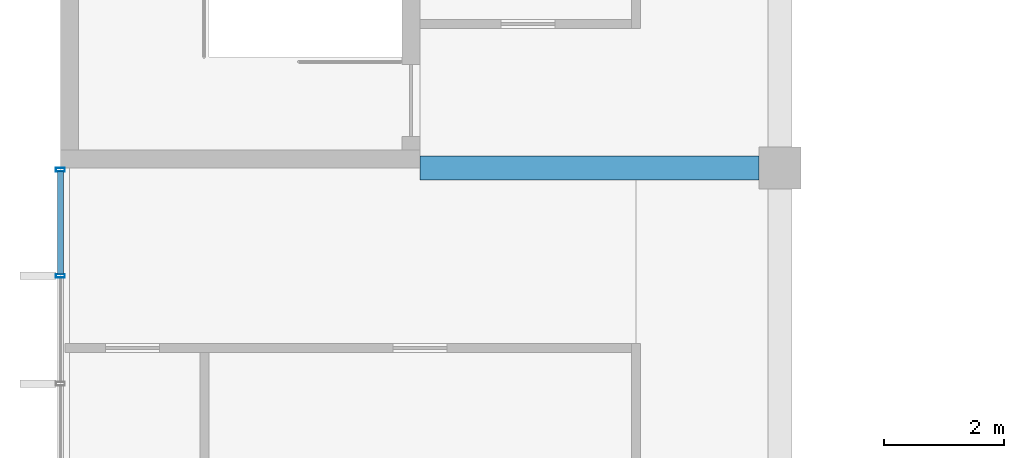
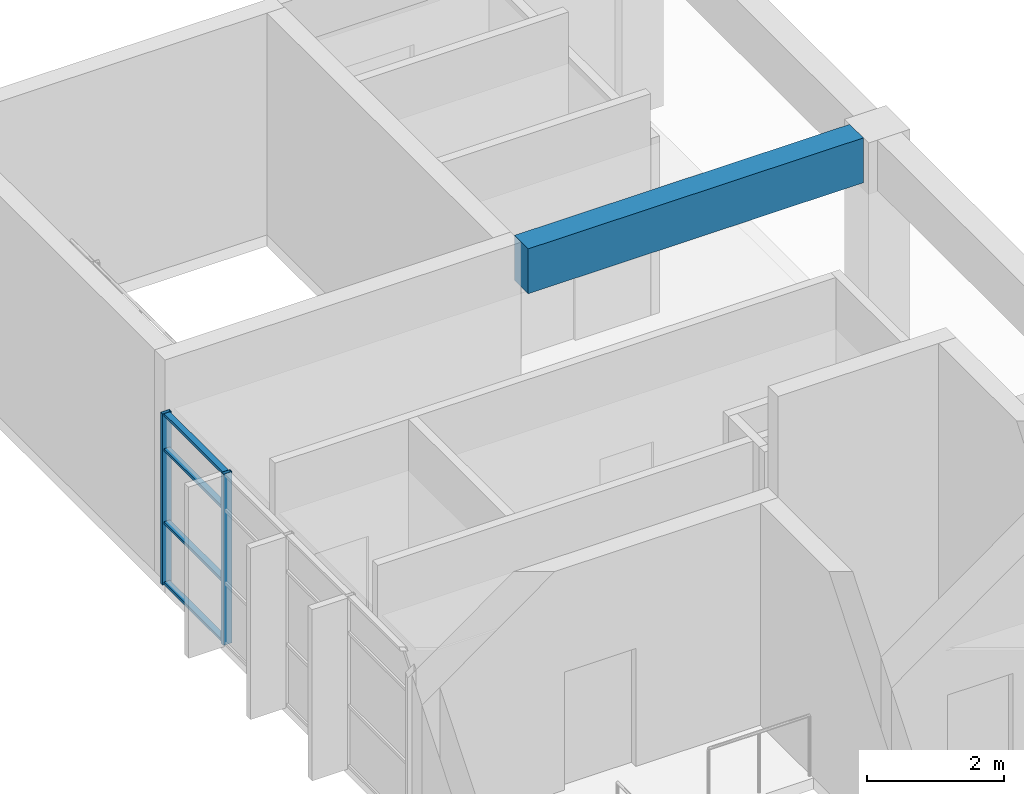
# One storey, part 6 of 47: 6 members, 1 beam, 1 element without a shape of its own.
"""IFC4 building model written with IfcOpenShell, lengths in metres."""

import ifcopenshell
import ifcopenshell.guid

model = None  # the IFC model being written
_history = None  # IfcOwnerHistory: only IFC2X3 demands one
_inside = {}  # id of a spatial element -> (the spatial element, [elements in it])
_under = {}  # id of a project, library or spatial element -> (it, [spatial elements below it])
_declared = {}  # id of a project -> (the project, [libraries it declares])
_typed = {}  # id of a type object -> (the type object, [elements of that type])
_made_of = {}  # id of a material, layer set ... -> (it, [elements and type objects made of it])


def new_model(schema):
    """Start an empty IFC model of exactly this schema.

    Asked for "IFC4X3", IfcOpenShell would pick the latest addendum, in which some entities
    have other attributes; the version numbers below select the first issue.
    IFC2X3 requires an IfcOwnerHistory on every rooted entity: one is made here for all.
    """
    global model, _history
    if schema == "IFC4X3":
        model = ifcopenshell.file(schema_version=(4, 3, 0, 0))
    else:
        model = ifcopenshell.file(schema=schema)
    _inside.clear()
    _under.clear()
    _declared.clear()
    _typed.clear()
    _made_of.clear()
    _history = None
    if model.schema == "IFC2X3":
        org = make("IfcOrganization", Name="unknown")
        user = make(
            "IfcPersonAndOrganization",
            ThePerson=make("IfcPerson", FamilyName="unknown"),
            TheOrganization=org,
        )
        app = make(
            "IfcApplication",
            ApplicationDeveloper=org,
            Version="unknown",
            ApplicationFullName="unknown",
            ApplicationIdentifier="unknown",
        )
        _history = make(
            "IfcOwnerHistory",
            OwningUser=user,
            OwningApplication=app,
            ChangeAction="ADDED",
            CreationDate=0,
        )
    return model


def make(cls, **values):
    """One entity of the class cls with the attributes given. An attribute that is None is left unset."""
    return model.create_entity(
        cls, **{name: value for name, value in values.items() if value is not None}
    )


def rooted(cls, **values):
    """An entity with a GlobalId (a new one), such as an element, a storey or a relation."""
    return make(cls, GlobalId=ifcopenshell.guid.new(), OwnerHistory=_history, **values)


def si_unit(unit_type, name, prefix=None):
    """IfcSIUnit, for example si_unit("LENGTHUNIT", "METRE", prefix="MILLI")."""
    return make("IfcSIUnit", UnitType=unit_type, Prefix=prefix, Name=name)


def assignment(units):
    """IfcUnitAssignment: the units of a project."""
    return None if units is None else make("IfcUnitAssignment", Units=units)


def point(xyz):
    """IfcCartesianPoint."""
    return None if xyz is None else make("IfcCartesianPoint", Coordinates=xyz)


def direction(xyz):
    """IfcDirection."""
    return None if xyz is None else make("IfcDirection", DirectionRatios=xyz)


def frame(location, z_axis=None, x_axis=None):
    """IfcAxis2Placement3D, a coordinate frame: its origin and axes. An axis left out is left unset."""
    return make(
        "IfcAxis2Placement3D",
        Location=point(location),
        Axis=direction(z_axis),
        RefDirection=direction(x_axis),
    )


def frame_2d(location, x_axis=None):
    """IfcAxis2Placement2D, a coordinate frame in the plane: its origin and x axis."""
    return make(
        "IfcAxis2Placement2D", Location=point(location), RefDirection=direction(x_axis)
    )


def origin():
    """The frame at (0, 0, 0) with its axes left unset."""
    return frame((0.0, 0.0, 0.0))


def origin_2d():
    """The frame at (0, 0) in the plane with its x axis left unset."""
    return frame_2d((0.0, 0.0))


def place(relative_to, where):
    """IfcLocalPlacement: puts the frame where relative to a parent placement (None: the world)."""
    return make(
        "IfcLocalPlacement", PlacementRelTo=relative_to, RelativePlacement=where
    )


def context(
    kind, dimensions, precision=None, world=None, true_north=None, identifier=None
):
    """IfcGeometricRepresentationContext, for example the 3D "Model" context."""
    return make(
        "IfcGeometricRepresentationContext",
        ContextIdentifier=identifier,
        ContextType=kind,
        CoordinateSpaceDimension=dimensions,
        Precision=precision,
        WorldCoordinateSystem=world,
        TrueNorth=true_north,
    )


def subcontext(parent, identifier, kind, view, scale=None):
    """IfcGeometricRepresentationSubContext, for example "Body" below "Model"."""
    return make(
        "IfcGeometricRepresentationSubContext",
        ContextIdentifier=identifier,
        ContextType=kind,
        ParentContext=parent,
        TargetScale=scale,
        TargetView=view,
    )


def project(units=None, contexts=None):
    """IfcProject with its units and contexts."""
    return rooted(
        "IfcProject",
        Name="project",
        RepresentationContexts=contexts,
        UnitsInContext=assignment(units),
    )


def spatial(cls, under=None, at=None, **own):
    """A site, building, storey or space (cls), placed at a placement, below another one or the project."""
    s = rooted(cls, ObjectPlacement=at, **own)
    if under is not None:
        _under.setdefault(under.id(), (under, []))[1].append(s)
    return s


def profile(cls, at=None, kind="AREA", **sizes):
    """A parametric profile (cls). Its sizes go by their IFC names, for example OverallWidth=200.0."""
    return make(cls, ProfileType=kind, Position=at, **sizes)


def rectangle(**sizes):
    """IfcRectangleProfileDef."""
    return profile("IfcRectangleProfileDef", **sizes)


def hollow_rectangle(**sizes):
    """IfcRectangleHollowProfileDef."""
    return profile("IfcRectangleHollowProfileDef", **sizes)


def extrude(swept, where, along, depth):
    """IfcExtrudedAreaSolid: the profile swept, set in the frame where, extruded along a direction by depth."""
    return make(
        "IfcExtrudedAreaSolid",
        SweptArea=swept,
        Position=where,
        ExtrudedDirection=direction(along),
        Depth=depth,
    )


def shape(context_of_items, identifier, shape_type, items):
    """IfcShapeRepresentation: the items that make up one representation, for example the "Body"."""
    return make(
        "IfcShapeRepresentation",
        ContextOfItems=context_of_items,
        RepresentationIdentifier=identifier,
        RepresentationType=shape_type,
        Items=items,
    )


def material(Name=None, Category=None):
    """IfcMaterial."""
    return make("IfcMaterial", Name=Name, Category=Category)


def material_profile(
    of_material, cross_section, Name=None, Category=None, Priority=None
):
    """IfcMaterialProfile: a cross section and its material."""
    return make(
        "IfcMaterialProfile",
        Name=Name,
        Material=of_material,
        Profile=cross_section,
        Priority=Priority,
        Category=Category,
    )


def profile_set(profiles, Name=None, composite=None):
    """IfcMaterialProfileSet."""
    return make(
        "IfcMaterialProfileSet",
        Name=Name,
        MaterialProfiles=profiles,
        CompositeProfile=composite,
    )


def made_of(thing, what):
    """Note that an element or type object is made of a material, layer set ...; save() writes the relation."""
    if what is not None:
        _made_of.setdefault(what.id(), (what, []))[1].append(thing)
    return thing


def type_object(cls, material=None, **own):
    """A type object (cls), such as IfcWallType, which elements share."""
    return made_of(rooted(cls, **own), material)


def element(
    cls,
    number,
    at=None,
    inside=None,
    cuts=None,
    type_object=None,
    material=None,
    context=None,
    identifier="Body",
    shape_type=None,
    held_by="IfcProductDefinitionShape",
    body=None,
    shapes=None,
    **own,
):
    """One element of the class cls, such as IfcWall. Its Tag is "e" and its number.

    at: its placement. inside: the storey or other place that contains it. cuts: it is an
    opening in that element (IfcRelVoidsElement). A single representation is given by context,
    identifier, shape_type and body (its items); several are given by shapes. held_by: the class
    of the entity that holds the representations. save() writes the other relations.
    """
    e = rooted(cls, Tag="e%d" % number, ObjectPlacement=at, **own)
    if body is not None:
        shapes = [shape(context, identifier, shape_type, body)]
    if shapes is not None:
        e.Representation = make(held_by, Representations=shapes)
    if inside is not None:
        _inside.setdefault(inside.id(), (inside, []))[1].append(e)
    if cuts is not None:
        rooted(
            "IfcRelVoidsElement", RelatingBuildingElement=cuts, RelatedOpeningElement=e
        )
    if type_object is not None:
        _typed.setdefault(type_object.id(), (type_object, []))[1].append(e)
    return made_of(e, material)


def aggregate(whole, parts):
    """IfcRelAggregates: a whole, such as a stair, and the parts it consists of."""
    return rooted("IfcRelAggregates", RelatingObject=whole, RelatedObjects=parts)


def save(model, path):
    """Write the relations noted so far, then the file.

    IfcRelAggregates (storeys below a building ...), IfcRelContainedInSpatialStructure (elements
    in a storey), IfcRelDefinesByType, IfcRelAssociatesMaterial and IfcRelDeclares: one each for
    every whole, place, type object, material and project.
    """
    for whole, parts in _under.values():
        aggregate(whole, parts)
    for where, things in _inside.values():
        rooted(
            "IfcRelContainedInSpatialStructure",
            RelatedElements=things,
            RelatingStructure=where,
        )
    for kind, things in _typed.values():
        rooted("IfcRelDefinesByType", RelatedObjects=things, RelatingType=kind)
    for what, things in _made_of.values():
        rooted("IfcRelAssociatesMaterial", RelatedObjects=things, RelatingMaterial=what)
    for by, libraries in _declared.values():
        rooted("IfcRelDeclares", RelatingContext=by, RelatedDefinitions=libraries)
    model.write(path)


model = new_model("IFC4")

# Units and contexts
model_context = context("Model", 3, precision=1e-05, world=origin(), true_north=direction((0.0, 1.0)))
body_context = subcontext(model_context, "Body", "Model", "MODEL_VIEW")
ifc_project = project(units=[si_unit("LENGTHUNIT", "METRE"), si_unit("AREAUNIT", "SQUARE_METRE"), si_unit("VOLUMEUNIT", "CUBIC_METRE"), si_unit("PLANEANGLEUNIT", "RADIAN"), si_unit("MASSUNIT", "GRAM", prefix="KILO")], contexts=[model_context])

# Site, building, storey
site_placement = place(None, origin())
site = spatial("IfcSite", under=ifc_project, at=site_placement, CompositionType="ELEMENT")
building_placement = place(site_placement, origin())
building = spatial("IfcBuilding", under=site, at=building_placement, Name="Laocheng Heights Fire and Rescue Headquarters", CompositionType="ELEMENT")
storey_placement = place(building_placement, frame((0.0, 0.0, 16.800048828125)))
storey = spatial("IfcBuildingStorey", under=building, at=storey_placement, Name="L04", CompositionType="ELEMENT", Elevation=16.800048828125)

# Curtain wall, members
ifc_material_1 = material(Name="Dark anodised aluminium unitised curtain wall, low-e double glazing", Category="aluminium")
curtain_wall_type = type_object("IfcCurtainWallType", Name="CW 7200 x 3050 FOYER GLAZING", PredefinedType="NOTDEFINED", material=ifc_material_1)
curtain_wall_placement = place(storey_placement, origin())
curtain_wall = element("IfcCurtainWall", 1, at=curtain_wall_placement, inside=storey, type_object=curtain_wall_type, Name="X4-V FOYER WEST L04", PredefinedType="NOTDEFINED")
ifc_material_2 = material(Name="Dark anodised aluminium 6063-T5 extrusion", Category="aluminium")
ifc_material_profile_1 = material_profile(ifc_material_2, hollow_rectangle(XDim=0.14990234375, YDim=0.06005859375, WallThickness=0.0029296875, at=origin_2d()), Name="AL MULLION 150x60x3 FOYER GLAZING")
ifc_profile_set_1 = profile_set([ifc_material_profile_1], Name="Dark anodised aluminium 6063-T5 extrusion")
member_type_1 = type_object("IfcMemberType", Name="AL MULLION 150x60x3 FOYER GLAZING", PredefinedType="MULLION", material=ifc_profile_set_1)
member_1_placement = place(storey_placement, frame((0.0, 48.60009765625, 0.0), z_axis=(0.0, 0.0, 1.0), x_axis=(-1.0, 0.0, 0.0)))
member_1 = element("IfcMember", 2, at=member_1_placement, type_object=member_type_1, Name="X4-V mullion 4", PredefinedType="MULLION", context=body_context, shape_type="SweptSolid", body=[
    extrude(hollow_rectangle(XDim=0.14990234375, YDim=0.06005859375, WallThickness=0.0029296875, at=origin_2d()), origin(), (0.0, 0.0, 1.0), 3.050048828125),
])
member_2_placement = place(storey_placement, frame((0.0, 50.3701171875, 0.0), z_axis=(0.0, 0.0, 1.0), x_axis=(-1.0, 0.0, 0.0)))
member_2 = element("IfcMember", 3, at=member_2_placement, type_object=member_type_1, Name="X4-V mullion 5", PredefinedType="MULLION", context=body_context, shape_type="SweptSolid", body=[
    extrude(hollow_rectangle(XDim=0.14990234375, YDim=0.06005859375, WallThickness=0.0029296875, at=origin_2d()), origin(), (0.0, 0.0, 1.0), 3.050048828125),
])
ifc_material_3 = material(Name="Dark anodised aluminium 6063-T5 extrusion", Category="aluminium")
ifc_material_profile_2 = material_profile(ifc_material_3, hollow_rectangle(XDim=0.10009765625, YDim=0.050048828125, WallThickness=0.0029296875, at=origin_2d()), Name="AL TRANSOM 100x50x3 FOYER GLAZING")
ifc_profile_set_2 = profile_set([ifc_material_profile_2], Name="Dark anodised aluminium 6063-T5 extrusion")
member_type_2 = type_object("IfcMemberType", Name="AL TRANSOM 100x50x3 FOYER GLAZING", PredefinedType="USERDEFINED", material=ifc_profile_set_2)
member_3_placement = place(storey_placement, frame((0.0, 48.6298828125, 0.02490234375), z_axis=(0.0, 1.0, 0.0), x_axis=(-1.0, 0.0, 0.0)))
member_3 = element("IfcMember", 4, at=member_3_placement, type_object=member_type_2, Name="X4-V transom 4.1", ObjectType="TRANSOM", PredefinedType="USERDEFINED", context=body_context, shape_type="SweptSolid", body=[
    extrude(hollow_rectangle(XDim=0.10009765625, YDim=0.050048828125, WallThickness=0.0029296875, at=origin_2d()), origin(), (0.0, 0.0, 1.0), 1.710205078125),
])
member_4_placement = place(storey_placement, frame((0.0, 48.6298828125, 1.099853515625), z_axis=(0.0, 1.0, 0.0), x_axis=(-1.0, 0.0, 0.0)))
member_4 = element("IfcMember", 5, at=member_4_placement, type_object=member_type_2, Name="X4-V transom 4.2", ObjectType="TRANSOM", PredefinedType="USERDEFINED", context=body_context, shape_type="SweptSolid", body=[
    extrude(hollow_rectangle(XDim=0.10009765625, YDim=0.050048828125, WallThickness=0.0029296875, at=origin_2d()), origin(), (0.0, 0.0, 1.0), 1.710205078125),
])
member_5_placement = place(storey_placement, frame((0.0, 48.6298828125, 2.39990234375), z_axis=(0.0, 1.0, 0.0), x_axis=(-1.0, 0.0, 0.0)))
member_5 = element("IfcMember", 6, at=member_5_placement, type_object=member_type_2, Name="X4-V transom 4.3", ObjectType="TRANSOM", PredefinedType="USERDEFINED", context=body_context, shape_type="SweptSolid", body=[
    extrude(hollow_rectangle(XDim=0.10009765625, YDim=0.050048828125, WallThickness=0.0029296875, at=origin_2d()), origin(), (0.0, 0.0, 1.0), 1.710205078125),
])
member_6_placement = place(storey_placement, frame((0.0, 48.6298828125, 3.02490234375), z_axis=(0.0, 1.0, 0.0), x_axis=(-1.0, 0.0, 0.0)))
member_6 = element("IfcMember", 7, at=member_6_placement, type_object=member_type_2, Name="X4-V transom 4.4", ObjectType="TRANSOM", PredefinedType="USERDEFINED", context=body_context, shape_type="SweptSolid", body=[
    extrude(hollow_rectangle(XDim=0.10009765625, YDim=0.050048828125, WallThickness=0.0029296875, at=origin_2d()), origin(), (0.0, 0.0, 1.0), 1.710205078125),
])
aggregate(curtain_wall, [member_1, member_2, member_3, member_4, member_5, member_6])

# Beam
ifc_material_4 = material(Name="Concrete C40", Category="concrete")
ifc_material_profile_3 = material_profile(ifc_material_4, rectangle(XDim=0.39990234375, YDim=0.800048828125, at=origin_2d()), Name="RC BEAM 400x800 FOYER")
ifc_profile_set_3 = profile_set([ifc_material_profile_3], Name="Concrete C40")
beam_type = type_object("IfcBeamType", Name="RC BEAM 400x800 FOYER", PredefinedType="BEAM", material=ifc_profile_set_3)
beam_placement = place(storey_placement, frame((6.0, 50.39990234375, 3.550048828125), z_axis=(1.0, 0.0, 0.0), x_axis=(0.0, 1.0, 0.0)))
element("IfcBeam", 8, at=beam_placement, inside=storey, type_object=beam_type, Name="Foyer beam L04", PredefinedType="BEAM", context=body_context, shape_type="SweptSolid", body=[
    extrude(rectangle(XDim=0.39990234375, YDim=0.800048828125, at=origin_2d()), origin(), (0.0, 0.0, 1.0), 5.64990234375),
])

save(model, "model.ifc")
